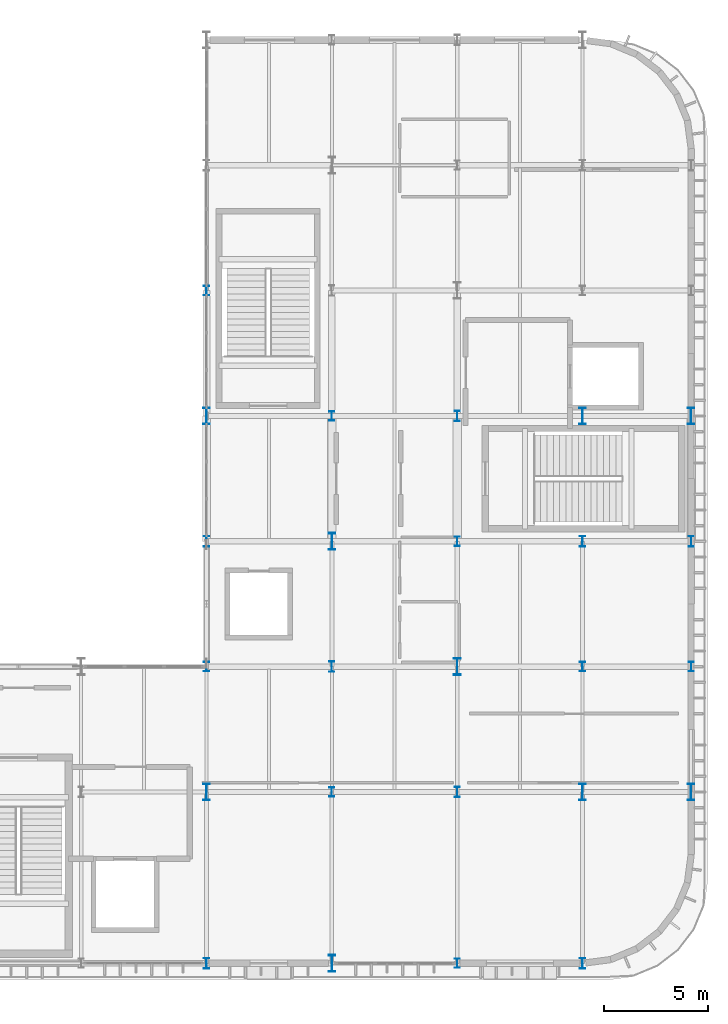
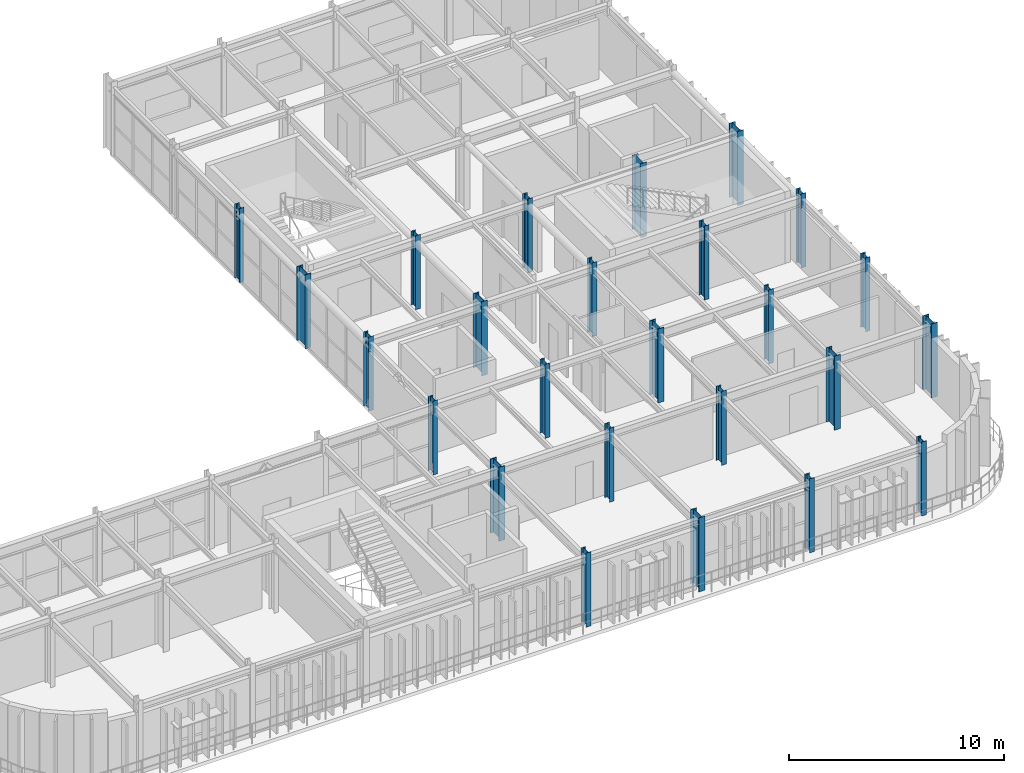
# One storey, part 9 of 83: 25 columns.
"""IFC4 building model written with IfcOpenShell, lengths in metres."""

import ifcopenshell
import ifcopenshell.guid

model = None  # the IFC model being written
_history = None  # IfcOwnerHistory: only IFC2X3 demands one
_inside = {}  # id of a spatial element -> (the spatial element, [elements in it])
_under = {}  # id of a project, library or spatial element -> (it, [spatial elements below it])
_declared = {}  # id of a project -> (the project, [libraries it declares])
_typed = {}  # id of a type object -> (the type object, [elements of that type])
_made_of = {}  # id of a material, layer set ... -> (it, [elements and type objects made of it])


def new_model(schema):
    """Start an empty IFC model of exactly this schema.

    Asked for "IFC4X3", IfcOpenShell would pick the latest addendum, in which some entities
    have other attributes; the version numbers below select the first issue.
    IFC2X3 requires an IfcOwnerHistory on every rooted entity: one is made here for all.
    """
    global model, _history
    if schema == "IFC4X3":
        model = ifcopenshell.file(schema_version=(4, 3, 0, 0))
    else:
        model = ifcopenshell.file(schema=schema)
    _inside.clear()
    _under.clear()
    _declared.clear()
    _typed.clear()
    _made_of.clear()
    _history = None
    if model.schema == "IFC2X3":
        org = make("IfcOrganization", Name="unknown")
        user = make(
            "IfcPersonAndOrganization",
            ThePerson=make("IfcPerson", FamilyName="unknown"),
            TheOrganization=org,
        )
        app = make(
            "IfcApplication",
            ApplicationDeveloper=org,
            Version="unknown",
            ApplicationFullName="unknown",
            ApplicationIdentifier="unknown",
        )
        _history = make(
            "IfcOwnerHistory",
            OwningUser=user,
            OwningApplication=app,
            ChangeAction="ADDED",
            CreationDate=0,
        )
    return model


def make(cls, **values):
    """One entity of the class cls with the attributes given. An attribute that is None is left unset."""
    return model.create_entity(
        cls, **{name: value for name, value in values.items() if value is not None}
    )


def rooted(cls, **values):
    """An entity with a GlobalId (a new one), such as an element, a storey or a relation."""
    return make(cls, GlobalId=ifcopenshell.guid.new(), OwnerHistory=_history, **values)


def si_unit(unit_type, name, prefix=None):
    """IfcSIUnit, for example si_unit("LENGTHUNIT", "METRE", prefix="MILLI")."""
    return make("IfcSIUnit", UnitType=unit_type, Prefix=prefix, Name=name)


def assignment(units):
    """IfcUnitAssignment: the units of a project."""
    return None if units is None else make("IfcUnitAssignment", Units=units)


def point(xyz):
    """IfcCartesianPoint."""
    return None if xyz is None else make("IfcCartesianPoint", Coordinates=xyz)


def direction(xyz):
    """IfcDirection."""
    return None if xyz is None else make("IfcDirection", DirectionRatios=xyz)


def frame(location, z_axis=None, x_axis=None):
    """IfcAxis2Placement3D, a coordinate frame: its origin and axes. An axis left out is left unset."""
    return make(
        "IfcAxis2Placement3D",
        Location=point(location),
        Axis=direction(z_axis),
        RefDirection=direction(x_axis),
    )


def frame_2d(location, x_axis=None):
    """IfcAxis2Placement2D, a coordinate frame in the plane: its origin and x axis."""
    return make(
        "IfcAxis2Placement2D", Location=point(location), RefDirection=direction(x_axis)
    )


def origin():
    """The frame at (0, 0, 0) with its axes left unset."""
    return frame((0.0, 0.0, 0.0))


def origin_2d():
    """The frame at (0, 0) in the plane with its x axis left unset."""
    return frame_2d((0.0, 0.0))


def place(relative_to, where):
    """IfcLocalPlacement: puts the frame where relative to a parent placement (None: the world)."""
    return make(
        "IfcLocalPlacement", PlacementRelTo=relative_to, RelativePlacement=where
    )


def context(
    kind, dimensions, precision=None, world=None, true_north=None, identifier=None
):
    """IfcGeometricRepresentationContext, for example the 3D "Model" context."""
    return make(
        "IfcGeometricRepresentationContext",
        ContextIdentifier=identifier,
        ContextType=kind,
        CoordinateSpaceDimension=dimensions,
        Precision=precision,
        WorldCoordinateSystem=world,
        TrueNorth=true_north,
    )


def subcontext(parent, identifier, kind, view, scale=None):
    """IfcGeometricRepresentationSubContext, for example "Body" below "Model"."""
    return make(
        "IfcGeometricRepresentationSubContext",
        ContextIdentifier=identifier,
        ContextType=kind,
        ParentContext=parent,
        TargetScale=scale,
        TargetView=view,
    )


def project(units=None, contexts=None):
    """IfcProject with its units and contexts."""
    return rooted(
        "IfcProject",
        Name="project",
        RepresentationContexts=contexts,
        UnitsInContext=assignment(units),
    )


def spatial(cls, under=None, at=None, **own):
    """A site, building, storey or space (cls), placed at a placement, below another one or the project."""
    s = rooted(cls, ObjectPlacement=at, **own)
    if under is not None:
        _under.setdefault(under.id(), (under, []))[1].append(s)
    return s


def profile(cls, at=None, kind="AREA", **sizes):
    """A parametric profile (cls). Its sizes go by their IFC names, for example OverallWidth=200.0."""
    return make(cls, ProfileType=kind, Position=at, **sizes)


def i_section(**sizes):
    """IfcIShapeProfileDef."""
    return profile("IfcIShapeProfileDef", **sizes)


def extrude(swept, where, along, depth):
    """IfcExtrudedAreaSolid: the profile swept, set in the frame where, extruded along a direction by depth."""
    return make(
        "IfcExtrudedAreaSolid",
        SweptArea=swept,
        Position=where,
        ExtrudedDirection=direction(along),
        Depth=depth,
    )


def shape(context_of_items, identifier, shape_type, items):
    """IfcShapeRepresentation: the items that make up one representation, for example the "Body"."""
    return make(
        "IfcShapeRepresentation",
        ContextOfItems=context_of_items,
        RepresentationIdentifier=identifier,
        RepresentationType=shape_type,
        Items=items,
    )


def material(Name=None, Category=None):
    """IfcMaterial."""
    return make("IfcMaterial", Name=Name, Category=Category)


def material_profile(
    of_material, cross_section, Name=None, Category=None, Priority=None
):
    """IfcMaterialProfile: a cross section and its material."""
    return make(
        "IfcMaterialProfile",
        Name=Name,
        Material=of_material,
        Profile=cross_section,
        Priority=Priority,
        Category=Category,
    )


def profile_set(profiles, Name=None, composite=None):
    """IfcMaterialProfileSet."""
    return make(
        "IfcMaterialProfileSet",
        Name=Name,
        MaterialProfiles=profiles,
        CompositeProfile=composite,
    )


def made_of(thing, what):
    """Note that an element or type object is made of a material, layer set ...; save() writes the relation."""
    if what is not None:
        _made_of.setdefault(what.id(), (what, []))[1].append(thing)
    return thing


def type_object(cls, material=None, **own):
    """A type object (cls), such as IfcWallType, which elements share."""
    return made_of(rooted(cls, **own), material)


def element(
    cls,
    number,
    at=None,
    inside=None,
    cuts=None,
    type_object=None,
    material=None,
    context=None,
    identifier="Body",
    shape_type=None,
    held_by="IfcProductDefinitionShape",
    body=None,
    shapes=None,
    **own,
):
    """One element of the class cls, such as IfcWall. Its Tag is "e" and its number.

    at: its placement. inside: the storey or other place that contains it. cuts: it is an
    opening in that element (IfcRelVoidsElement). A single representation is given by context,
    identifier, shape_type and body (its items); several are given by shapes. held_by: the class
    of the entity that holds the representations. save() writes the other relations.
    """
    e = rooted(cls, Tag="e%d" % number, ObjectPlacement=at, **own)
    if body is not None:
        shapes = [shape(context, identifier, shape_type, body)]
    if shapes is not None:
        e.Representation = make(held_by, Representations=shapes)
    if inside is not None:
        _inside.setdefault(inside.id(), (inside, []))[1].append(e)
    if cuts is not None:
        rooted(
            "IfcRelVoidsElement", RelatingBuildingElement=cuts, RelatedOpeningElement=e
        )
    if type_object is not None:
        _typed.setdefault(type_object.id(), (type_object, []))[1].append(e)
    return made_of(e, material)


def aggregate(whole, parts):
    """IfcRelAggregates: a whole, such as a stair, and the parts it consists of."""
    return rooted("IfcRelAggregates", RelatingObject=whole, RelatedObjects=parts)


def save(model, path):
    """Write the relations noted so far, then the file.

    IfcRelAggregates (storeys below a building ...), IfcRelContainedInSpatialStructure (elements
    in a storey), IfcRelDefinesByType, IfcRelAssociatesMaterial and IfcRelDeclares: one each for
    every whole, place, type object, material and project.
    """
    for whole, parts in _under.values():
        aggregate(whole, parts)
    for where, things in _inside.values():
        rooted(
            "IfcRelContainedInSpatialStructure",
            RelatedElements=things,
            RelatingStructure=where,
        )
    for kind, things in _typed.values():
        rooted("IfcRelDefinesByType", RelatedObjects=things, RelatingType=kind)
    for what, things in _made_of.values():
        rooted("IfcRelAssociatesMaterial", RelatedObjects=things, RelatingMaterial=what)
    for by, libraries in _declared.values():
        rooted("IfcRelDeclares", RelatingContext=by, RelatedDefinitions=libraries)
    model.write(path)


model = new_model("IFC4")

# Units and contexts
model_context = context("Model", 3, precision=1e-05, world=origin(), true_north=direction((0.0, 1.0)))
body_context = subcontext(model_context, "Body", "Model", "MODEL_VIEW")
ifc_project = project(units=[si_unit("LENGTHUNIT", "METRE"), si_unit("AREAUNIT", "SQUARE_METRE"), si_unit("VOLUMEUNIT", "CUBIC_METRE"), si_unit("PLANEANGLEUNIT", "RADIAN"), si_unit("MASSUNIT", "GRAM", prefix="KILO")], contexts=[model_context])

# Site, building, storey
site_placement = place(None, origin())
site = spatial("IfcSite", under=ifc_project, at=site_placement, CompositionType="ELEMENT")
building_placement = place(site_placement, origin())
building = spatial("IfcBuilding", under=site, at=building_placement, Name="Varnakota Square Police Headquarters", CompositionType="ELEMENT")
storey_placement = place(building_placement, frame((0.0, 0.0, 18.0)))
storey = spatial("IfcBuildingStorey", under=building, at=storey_placement, Name="L04", CompositionType="ELEMENT", Elevation=18.0)

# Columns
ifc_material = material(Name="Steel IS 2062 Grade 350", Category="steel")
ifc_material_profile_1 = material_profile(ifc_material, i_section(OverallWidth=0.320068359375, OverallDepth=0.800048828125, WebThickness=0.01611328125, FlangeThickness=0.028076171875, at=origin_2d()), Name="BPG 800x320")
ifc_profile_set_1 = profile_set([ifc_material_profile_1], Name="Steel IS 2062 Grade 350")
column_type_1 = type_object("IfcColumnType", Name="COL-BPG800", PredefinedType="COLUMN", material=ifc_profile_set_1)
for number, where, z_axis, x_axis, name in (
    (1, (138.0, 9.0, 0.0), (0.0, 0.0, 1.0), (1.0, 0.0, 0.0), "Column X1380-Y0090 L04"),
    (2, (138.0, 27.0, 0.0), (0.0, 0.0, 1.0), (1.0, 0.0, 0.0), "Column X1380-Y0270 L04"),
    (3, (144.0, 0.800048828125, 0.0), (0.0, 0.0, 1.0), (1.0, 0.0, 0.0), "Column X1440-Y0008 L04"),
    (4, (144.0, 21.0, 0.0), (0.0, 0.0, 1.0), (1.0, 0.0, 0.0), "Column X1440-Y0210 L04"),
    (5, (150.0, 15.0, 0.0), (0.0, 0.0, 1.0), (1.0, 0.0, 0.0), "Column X1500-Y0150 L04"),
    (6, (156.0, 9.0, 0.0), (0.0, 0.0, 1.0), (1.0, 0.0, 0.0), "Column X1560-Y0090 L04"),
    (7, (156.0, 27.0, 0.0), (0.0, 0.0, 1.0), (1.0, 0.0, 0.0), "Column X1560-Y0270 L04"),
    (8, (161.199951171875, 9.0, 0.0), (0.0, 0.0, 1.0), (1.0, 0.0, 0.0), "Column X1612-Y0090 L04"),
    (9, (161.199951171875, 27.0, 0.0), (0.0, 0.0, 1.0), (1.0, 0.0, 0.0), "Column X1612-Y0270 L04"),
):
    element("IfcColumn", number, at=place(storey_placement, frame(where, z_axis=z_axis, x_axis=x_axis)), inside=storey, type_object=column_type_1, Name=name, PredefinedType="COLUMN", context=body_context, shape_type="SweptSolid", body=[
        extrude(i_section(OverallWidth=0.320068359375, OverallDepth=0.800048828125, WebThickness=0.01611328125, FlangeThickness=0.028076171875, at=origin_2d()), origin(), (0.0, 0.0, 1.0), 4.199951171875),
    ])
ifc_material_profile_2 = material_profile(ifc_material, i_section(OverallWidth=0.25, OverallDepth=0.449951171875, WebThickness=0.01123046875, FlangeThickness=0.013671875, FilletRadius=0.014892578125, at=origin_2d()), Name="ISHB 450")
ifc_profile_set_2 = profile_set([ifc_material_profile_2], Name="Steel IS 2062 Grade 350")
column_type_2 = type_object("IfcColumnType", Name="COL-ISHB450", PredefinedType="COLUMN", material=ifc_profile_set_2)
for number, where, z_axis, x_axis, name in (
    (10, (138.0, 15.0, 0.0), (0.0, 0.0, 1.0), (1.0, 0.0, 0.0), "Column X1380-Y0150 L04"),
    (11, (138.0, 33.0, 0.0), (0.0, 0.0, 1.0), (1.0, 0.0, 0.0), "Column X1380-Y0330 L04"),
    (12, (144.0, 9.0, 0.0), (0.0, 0.0, 1.0), (1.0, 0.0, 0.0), "Column X1440-Y0090 L04"),
    (13, (144.0, 27.0, 0.0), (0.0, 0.0, 1.0), (1.0, 0.0, 0.0), "Column X1440-Y0270 L04"),
    (14, (150.0, 0.800048828125, 0.0), (0.0, 0.0, 1.0), (1.0, 0.0, 0.0), "Column X1500-Y0008 L04"),
    (15, (150.0, 21.0, 0.0), (0.0, 0.0, 1.0), (1.0, 0.0, 0.0), "Column X1500-Y0210 L04"),
    (16, (156.0, 15.0, 0.0), (0.0, 0.0, 1.0), (1.0, 0.0, 0.0), "Column X1560-Y0150 L04"),
    (17, (161.199951171875, 15.0, 0.0), (0.0, 0.0, 1.0), (1.0, 0.0, 0.0), "Column X1612-Y0150 L04"),
):
    element("IfcColumn", number, at=place(storey_placement, frame(where, z_axis=z_axis, x_axis=x_axis)), inside=storey, type_object=column_type_2, Name=name, PredefinedType="COLUMN", context=body_context, shape_type="SweptSolid", body=[
        extrude(i_section(OverallWidth=0.25, OverallDepth=0.449951171875, WebThickness=0.01123046875, FlangeThickness=0.013671875, FilletRadius=0.014892578125, at=origin_2d()), origin(), (0.0, 0.0, 1.0), 4.199951171875),
    ])
ifc_material_profile_3 = material_profile(ifc_material, i_section(OverallWidth=0.25, OverallDepth=0.5, WebThickness=0.010009765625, FlangeThickness=0.0146484375, FilletRadius=0.014892578125, at=origin_2d()), Name="ISWB 500")
ifc_profile_set_3 = profile_set([ifc_material_profile_3], Name="Steel IS 2062 Grade 350")
column_type_3 = type_object("IfcColumnType", Name="COL-ISWB500", PredefinedType="COLUMN", material=ifc_profile_set_3)
for number, where, z_axis, x_axis, name in (
    (18, (138.0, 0.800048828125, 0.0), (0.0, 0.0, 1.0), (1.0, 0.0, 0.0), "Column X1380-Y0008 L04"),
    (19, (138.0, 21.0, 0.0), (0.0, 0.0, 1.0), (1.0, 0.0, 0.0), "Column X1380-Y0210 L04"),
    (20, (144.0, 15.0, 0.0), (0.0, 0.0, 1.0), (1.0, 0.0, 0.0), "Column X1440-Y0150 L04"),
    (21, (150.0, 9.0, 0.0), (0.0, 0.0, 1.0), (1.0, 0.0, 0.0), "Column X1500-Y0090 L04"),
    (22, (150.0, 27.0, 0.0), (0.0, 0.0, 1.0), (1.0, 0.0, 0.0), "Column X1500-Y0270 L04"),
    (23, (156.0, 0.800048828125, 0.0), (0.0, 0.0, 1.0), (1.0, 0.0, 0.0), "Column X1560-Y0008 L04"),
    (24, (156.0, 21.0, 0.0), (0.0, 0.0, 1.0), (1.0, 0.0, 0.0), "Column X1560-Y0210 L04"),
    (25, (161.199951171875, 21.0, 0.0), (0.0, 0.0, 1.0), (1.0, 0.0, 0.0), "Column X1612-Y0210 L04"),
):
    element("IfcColumn", number, at=place(storey_placement, frame(where, z_axis=z_axis, x_axis=x_axis)), inside=storey, type_object=column_type_3, Name=name, PredefinedType="COLUMN", context=body_context, shape_type="SweptSolid", body=[
        extrude(i_section(OverallWidth=0.25, OverallDepth=0.5, WebThickness=0.010009765625, FlangeThickness=0.0146484375, FilletRadius=0.014892578125, at=origin_2d()), origin(), (0.0, 0.0, 1.0), 4.199951171875),
    ])

save(model, "model.ifc")
